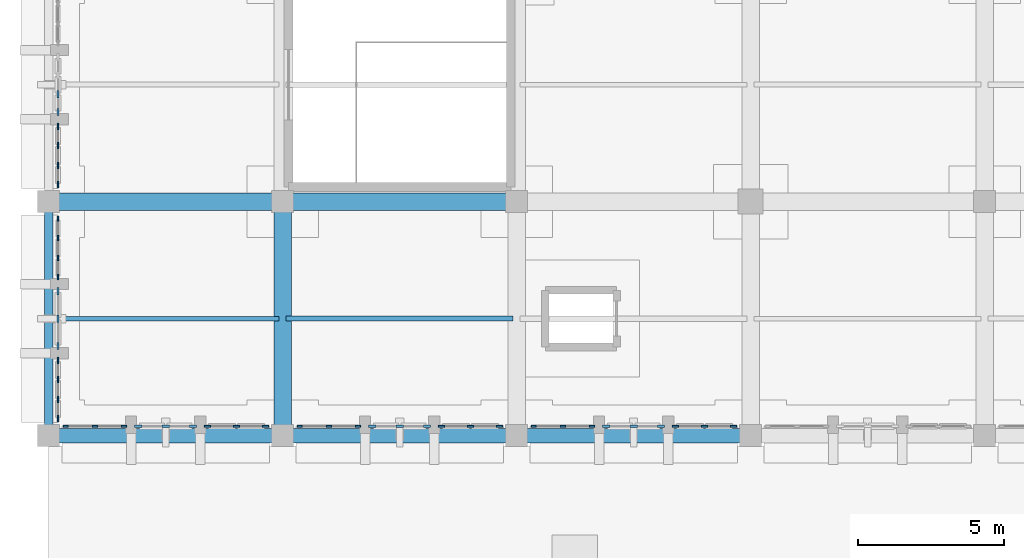
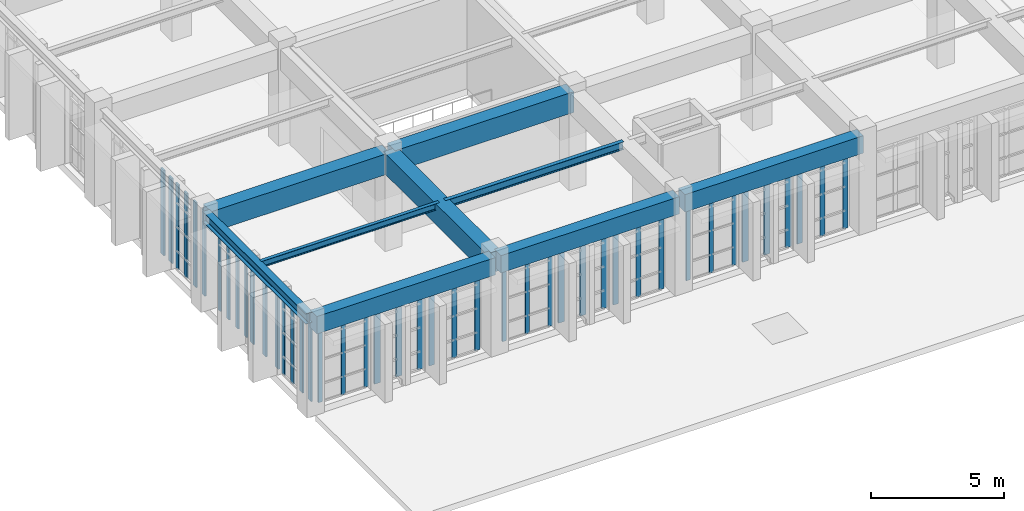
# One storey, part 8 of 155: 44 members, 9 beams, 14 elements without a shape of their own.
"""IFC4 building model written with IfcOpenShell, lengths in metres."""

from ifc_helpers import new_model, si_unit, direction, frame, origin, origin_2d, place, context, subcontext, project, spatial, rectangle, i_section, extrude, material, layer, layer_set, material_profile, profile_set, type_object, element, aggregate, save


model = new_model("IFC4")

# Units and contexts
model_context = context("Model", 3, precision=1e-05, world=origin(), true_north=direction((0.0, 1.0)))
body_context = subcontext(model_context, "Body", "Model", "MODEL_VIEW")
ifc_project = project(units=[si_unit("LENGTHUNIT", "METRE"), si_unit("AREAUNIT", "SQUARE_METRE"), si_unit("VOLUMEUNIT", "CUBIC_METRE"), si_unit("PLANEANGLEUNIT", "RADIAN"), si_unit("MASSUNIT", "GRAM", prefix="KILO")], contexts=[model_context])

# Site, building, storey
site_placement = place(None, origin())
site = spatial("IfcSite", under=ifc_project, at=site_placement, CompositionType="ELEMENT")
building_placement = place(site_placement, origin())
building = spatial("IfcBuilding", under=site, at=building_placement, Name="Tazarka Park Arena", CompositionType="ELEMENT")
storey_placement = place(building_placement, frame((0.0, 0.0, 5.39990234375)))
storey = spatial("IfcBuildingStorey", under=building, at=storey_placement, Name="L01", CompositionType="ELEMENT", Elevation=5.39990234375)

# Beams
ifc_material_1 = material(Name="Concrete C40/50", Category="concrete")
ifc_material_profile_1 = material_profile(ifc_material_1, rectangle(XDim=0.60009765625, YDim=0.949951171875, at=origin_2d()), Name="Concrete C40/50")
ifc_profile_set_1 = profile_set([ifc_material_profile_1], Name="Concrete C40/50")
beam_type_1 = type_object("IfcBeamType", Name="BM-B-03", PredefinedType="BEAM", material=ifc_profile_set_1)
for number, where, z_axis, x_axis, name in (
    (1, (0.1201171875, 16.0, 3.945068359375), (1.0, 0.0, 0.0), (0.0, 1.0, 0.0), "GXM-L01-00-02"),
    (2, (8.0, 8.1201171875, 3.945068359375), (0.0, 1.0, 0.0), (-1.0, 0.0, 0.0), "GYM-L01-01-01"),
    (3, (8.1201171875, 16.0, 3.945068359375), (1.0, 0.0, 0.0), (0.0, 1.0, 0.0), "GXM-L01-01-02"),
):
    element("IfcBeam", number, at=place(storey_placement, frame(where, z_axis=z_axis, x_axis=x_axis)), inside=storey, type_object=beam_type_1, Name=name, PredefinedType="BEAM", context=body_context, shape_type="SweptSolid", body=[
        extrude(rectangle(XDim=0.60009765625, YDim=0.949951171875, at=origin_2d()), origin(), (0.0, 0.0, 1.0), 7.759765625),
    ])
ifc_material_2 = material(Name="Steel S355", Category="steel")
ifc_material_profile_2 = material_profile(ifc_material_2, i_section(OverallWidth=0.14990234375, OverallDepth=0.300048828125, WebThickness=0.007080078125, FlangeThickness=0.0107421875, FilletRadius=0.014892578125, at=origin_2d()), Name="Steel S355")
ifc_profile_set_2 = profile_set([ifc_material_profile_2], Name="Steel S355")
beam_type_2 = type_object("IfcBeamType", Name="BM-J-01", PredefinedType="JOIST", material=ifc_profile_set_2)
beam_1_placement = place(storey_placement, frame((0.1201171875, 12.0, 4.27001953125), z_axis=(1.0, 0.0, 0.0), x_axis=(0.0, 1.0, 0.0)))
element("IfcBeam", 4, at=beam_1_placement, inside=storey, type_object=beam_type_2, Name="JST-L01-00-01", PredefinedType="JOIST", context=body_context, shape_type="SweptSolid", body=[
    extrude(i_section(OverallWidth=0.14990234375, OverallDepth=0.300048828125, WebThickness=0.007080078125, FlangeThickness=0.0107421875, FilletRadius=0.014892578125, at=origin_2d()), origin(), (0.0, 0.0, 1.0), 7.759765625),
])
ifc_material_3 = material(Name="Steel S355", Category="steel")
ifc_material_profile_3 = material_profile(ifc_material_3, i_section(OverallWidth=0.169921875, OverallDepth=0.360107421875, WebThickness=0.008056640625, FlangeThickness=0.0126953125, FilletRadius=0.01806640625, at=origin_2d()), Name="Steel S355")
ifc_profile_set_3 = profile_set([ifc_material_profile_3], Name="Steel S355")
beam_type_3 = type_object("IfcBeamType", Name="BM-J-02", PredefinedType="JOIST", material=ifc_profile_set_3)
beam_2_placement = place(storey_placement, frame((8.1201171875, 12.0, 4.239990234375), z_axis=(1.0, 0.0, 0.0), x_axis=(0.0, 1.0, 0.0)))
element("IfcBeam", 5, at=beam_2_placement, inside=storey, type_object=beam_type_3, Name="JST-L01-01-01", PredefinedType="JOIST", context=body_context, shape_type="SweptSolid", body=[
    extrude(i_section(OverallWidth=0.169921875, OverallDepth=0.360107421875, WebThickness=0.008056640625, FlangeThickness=0.0126953125, FilletRadius=0.01806640625, at=origin_2d()), origin(), (0.0, 0.0, 1.0), 7.759765625),
])
ifc_material_4 = material(Name="Concrete C40/50", Category="concrete")
ifc_material_profile_4 = material_profile(ifc_material_4, rectangle(XDim=0.5, YDim=0.800048828125, at=origin_2d()), Name="Concrete C40/50")
ifc_profile_set_4 = profile_set([ifc_material_profile_4], Name="Concrete C40/50")
beam_type_4 = type_object("IfcBeamType", Name="BM-SP-01", PredefinedType="SPANDREL", material=ifc_profile_set_4)
for number, where, z_axis, x_axis, name in (
    (6, (0.1201171875, 8.0, 4.02001953125), (1.0, 0.0, 0.0), (0.0, 1.0, 0.0), "GXM-L01-00-01"),
    (7, (8.1201171875, 8.0, 4.02001953125), (1.0, 0.0, 0.0), (0.0, 1.0, 0.0), "GXM-L01-01-01"),
    (8, (16.1201171875, 8.0, 4.02001953125), (1.0, 0.0, 0.0), (0.0, 1.0, 0.0), "GXM-L01-02-01"),
):
    element("IfcBeam", number, at=place(storey_placement, frame(where, z_axis=z_axis, x_axis=x_axis)), inside=storey, type_object=beam_type_4, Name=name, PredefinedType="SPANDREL", context=body_context, shape_type="SweptSolid", body=[
        extrude(rectangle(XDim=0.5, YDim=0.800048828125, at=origin_2d()), origin(), (0.0, 0.0, 1.0), 7.759765625),
    ])
ifc_material_5 = material(Name="Steel S355", Category="steel")
ifc_material_profile_5 = material_profile(ifc_material_5, i_section(OverallWidth=0.300048828125, OverallDepth=0.489990234375, WebThickness=0.011962890625, FlangeThickness=0.02294921875, FilletRadius=0.027099609375, at=origin_2d()), Name="Steel S355")
ifc_profile_set_5 = profile_set([ifc_material_profile_5], Name="Steel S355")
beam_type_5 = type_object("IfcBeamType", Name="BM-SP-02", PredefinedType="SPANDREL", material=ifc_profile_set_5)
beam_3_placement = place(storey_placement, frame((0.0, 8.1201171875, 4.175048828125), z_axis=(0.0, 1.0, 0.0), x_axis=(-1.0, 0.0, 0.0)))
element("IfcBeam", 9, at=beam_3_placement, inside=storey, type_object=beam_type_5, Name="GYM-L01-00-01", PredefinedType="SPANDREL", context=body_context, shape_type="SweptSolid", body=[
    extrude(i_section(OverallWidth=0.300048828125, OverallDepth=0.489990234375, WebThickness=0.011962890625, FlangeThickness=0.02294921875, FilletRadius=0.027099609375, at=origin_2d()), origin(), (0.0, 0.0, 1.0), 7.759765625),
])

# Curtain wall, members
ifc_material_6 = material(Name="Aluminium and low-e glass", Category="aluminium")
ifc_layer_1 = layer(ifc_material_6, 0.179931640625, Name="Aluminium and low-e glass")
ifc_layer_set_1 = layer_set([ifc_layer_1], Name="Aluminium and low-e glass")
curtain_wall_type_1 = type_object("IfcCurtainWallType", Name="CW-09", PredefinedType="NOTDEFINED", material=ifc_layer_set_1)
curtain_wall_1_placement = place(storey_placement, origin())
curtain_wall_1 = element("IfcCurtainWall", 10, at=curtain_wall_1_placement, inside=storey, type_object=curtain_wall_type_1, Name="Curtain Wall CWA-L01-069", PredefinedType="NOTDEFINED")
ifc_material_7 = material(Name="Aluminium 6060-T66", Category="aluminium")
ifc_material_profile_6 = material_profile(ifc_material_7, rectangle(XDim=0.06494140625, YDim=0.179931640625, at=origin_2d()), Name="Aluminium 6060-T66")
ifc_profile_set_6 = profile_set([ifc_material_profile_6], Name="Aluminium 6060-T66")
member_type_1 = type_object("IfcMemberType", Name="CWM-01", PredefinedType="MULLION", material=ifc_profile_set_6)
member_1_placement = place(storey_placement, frame((0.320068359375, 13.42431640625, 0.0), z_axis=(0.0, 0.0, 1.0), x_axis=(-1.0, 0.0, 0.0)))
member_1 = element("IfcMember", 11, at=member_1_placement, type_object=member_type_1, Name="CW-09 mullion 1", PredefinedType="MULLION", context=body_context, shape_type="SweptSolid", body=[
    extrude(rectangle(XDim=0.06494140625, YDim=0.179931640625, at=origin_2d()), origin(), (0.0, 0.0, 1.0), 3.91015625),
])
member_2_placement = place(storey_placement, frame((0.320068359375, 14.076171875, 0.0), z_axis=(0.0, 0.0, 1.0), x_axis=(-1.0, 0.0, 0.0)))
member_2 = element("IfcMember", 12, at=member_2_placement, type_object=member_type_1, Name="CW-09 mullion 2", PredefinedType="MULLION", context=body_context, shape_type="SweptSolid", body=[
    extrude(rectangle(XDim=0.06494140625, YDim=0.179931640625, at=origin_2d()), origin(), (0.0, 0.0, 1.0), 3.91015625),
])
member_3_placement = place(storey_placement, frame((0.320068359375, 14.760498046875, 0.0), z_axis=(0.0, 0.0, 1.0), x_axis=(-1.0, 0.0, 0.0)))
member_3 = element("IfcMember", 13, at=member_3_placement, type_object=member_type_1, Name="CW-09 mullion 3", PredefinedType="MULLION", context=body_context, shape_type="SweptSolid", body=[
    extrude(rectangle(XDim=0.06494140625, YDim=0.179931640625, at=origin_2d()), origin(), (0.0, 0.0, 1.0), 3.91015625),
])
member_4_placement = place(storey_placement, frame((0.320068359375, 15.41259765625, 0.0), z_axis=(0.0, 0.0, 1.0), x_axis=(-1.0, 0.0, 0.0)))
member_4 = element("IfcMember", 14, at=member_4_placement, type_object=member_type_1, Name="CW-09 mullion 4", PredefinedType="MULLION", context=body_context, shape_type="SweptSolid", body=[
    extrude(rectangle(XDim=0.06494140625, YDim=0.179931640625, at=origin_2d()), origin(), (0.0, 0.0, 1.0), 3.91015625),
])
aggregate(curtain_wall_1, [member_1, member_2, member_3, member_4])

ifc_material_8 = material(Name="Aluminium and low-e glass", Category="aluminium")
ifc_layer_2 = layer(ifc_material_8, 0.179931640625, Name="Aluminium and low-e glass")
ifc_layer_set_2 = layer_set([ifc_layer_2], Name="Aluminium and low-e glass")
curtain_wall_type_2 = type_object("IfcCurtainWallType", Name="CW-12", PredefinedType="NOTDEFINED", material=ifc_layer_set_2)
curtain_wall_2_placement = place(storey_placement, origin())
curtain_wall_2 = element("IfcCurtainWall", 15, at=curtain_wall_2_placement, inside=storey, type_object=curtain_wall_type_2, Name="Curtain Wall CWA-L01-072", PredefinedType="NOTDEFINED")
member_5_placement = place(storey_placement, frame((2.57568359375, 8.320068359375, 0.0), z_axis=(0.0, 0.0, 1.0), x_axis=(0.0, -1.0, 0.0)))
member_5 = element("IfcMember", 16, at=member_5_placement, type_object=member_type_1, Name="CW-12 mullion 1", PredefinedType="MULLION", context=body_context, shape_type="SweptSolid", body=[
    extrude(rectangle(XDim=0.06494140625, YDim=0.179931640625, at=origin_2d()), origin(), (0.0, 0.0, 1.0), 3.60009765625),
])
member_6_placement = place(storey_placement, frame((1.58154296875, 8.320068359375, 0.0), z_axis=(0.0, 0.0, 1.0), x_axis=(0.0, -1.0, 0.0)))
member_6 = element("IfcMember", 17, at=member_6_placement, type_object=member_type_1, Name="CW-12 mullion 2", PredefinedType="MULLION", context=body_context, shape_type="SweptSolid", body=[
    extrude(rectangle(XDim=0.06494140625, YDim=0.179931640625, at=origin_2d()), origin(), (0.0, 0.0, 1.0), 3.60009765625),
])
member_7_placement = place(storey_placement, frame((0.58740234375, 8.320068359375, 0.0), z_axis=(0.0, 0.0, 1.0), x_axis=(0.0, -1.0, 0.0)))
member_7 = element("IfcMember", 18, at=member_7_placement, type_object=member_type_1, Name="CW-12 mullion 3", PredefinedType="MULLION", context=body_context, shape_type="SweptSolid", body=[
    extrude(rectangle(XDim=0.06494140625, YDim=0.179931640625, at=origin_2d()), origin(), (0.0, 0.0, 1.0), 3.60009765625),
])
aggregate(curtain_wall_2, [member_5, member_6, member_7])

ifc_material_9 = material(Name="Aluminium and low-e glass", Category="aluminium")
ifc_layer_3 = layer(ifc_material_9, 0.179931640625, Name="Aluminium and low-e glass")
ifc_layer_set_3 = layer_set([ifc_layer_3], Name="Aluminium and low-e glass")
curtain_wall_type_3 = type_object("IfcCurtainWallType", Name="CW-15", PredefinedType="NOTDEFINED", material=ifc_layer_set_3)
curtain_wall_3_placement = place(storey_placement, origin())
curtain_wall_3 = element("IfcCurtainWall", 19, at=curtain_wall_3_placement, inside=storey, type_object=curtain_wall_type_3, Name="Curtain Wall CWA-L01-075", PredefinedType="NOTDEFINED")
member_8_placement = place(storey_placement, frame((10.57568359375, 8.320068359375, 0.0), z_axis=(0.0, 0.0, 1.0), x_axis=(0.0, -1.0, 0.0)))
member_8 = element("IfcMember", 20, at=member_8_placement, type_object=member_type_1, Name="CW-15 mullion 1", PredefinedType="MULLION", context=body_context, shape_type="SweptSolid", body=[
    extrude(rectangle(XDim=0.06494140625, YDim=0.179931640625, at=origin_2d()), origin(), (0.0, 0.0, 1.0), 3.60009765625),
])
member_9_placement = place(storey_placement, frame((9.58154296875, 8.320068359375, 0.0), z_axis=(0.0, 0.0, 1.0), x_axis=(0.0, -1.0, 0.0)))
member_9 = element("IfcMember", 21, at=member_9_placement, type_object=member_type_1, Name="CW-15 mullion 2", PredefinedType="MULLION", context=body_context, shape_type="SweptSolid", body=[
    extrude(rectangle(XDim=0.06494140625, YDim=0.179931640625, at=origin_2d()), origin(), (0.0, 0.0, 1.0), 3.60009765625),
])
member_10_placement = place(storey_placement, frame((8.58740234375, 8.320068359375, 0.0), z_axis=(0.0, 0.0, 1.0), x_axis=(0.0, -1.0, 0.0)))
member_10 = element("IfcMember", 22, at=member_10_placement, type_object=member_type_1, Name="CW-15 mullion 3", PredefinedType="MULLION", context=body_context, shape_type="SweptSolid", body=[
    extrude(rectangle(XDim=0.06494140625, YDim=0.179931640625, at=origin_2d()), origin(), (0.0, 0.0, 1.0), 3.60009765625),
])
aggregate(curtain_wall_3, [member_8, member_9, member_10])

ifc_material_10 = material(Name="Aluminium and low-e glass", Category="aluminium")
ifc_layer_4 = layer(ifc_material_10, 0.179931640625, Name="Aluminium and low-e glass")
ifc_layer_set_4 = layer_set([ifc_layer_4], Name="Aluminium and low-e glass")
curtain_wall_type_4 = type_object("IfcCurtainWallType", Name="CW-18", PredefinedType="NOTDEFINED", material=ifc_layer_set_4)
curtain_wall_4_placement = place(storey_placement, origin())
curtain_wall_4 = element("IfcCurtainWall", 23, at=curtain_wall_4_placement, inside=storey, type_object=curtain_wall_type_4, Name="Curtain Wall CWA-L01-078", PredefinedType="NOTDEFINED")
member_11_placement = place(storey_placement, frame((18.57568359375, 8.320068359375, 0.0), z_axis=(0.0, 0.0, 1.0), x_axis=(0.0, -1.0, 0.0)))
member_11 = element("IfcMember", 24, at=member_11_placement, type_object=member_type_1, Name="CW-18 mullion 1", PredefinedType="MULLION", context=body_context, shape_type="SweptSolid", body=[
    extrude(rectangle(XDim=0.06494140625, YDim=0.179931640625, at=origin_2d()), origin(), (0.0, 0.0, 1.0), 3.60009765625),
])
member_12_placement = place(storey_placement, frame((17.58154296875, 8.320068359375, 0.0), z_axis=(0.0, 0.0, 1.0), x_axis=(0.0, -1.0, 0.0)))
member_12 = element("IfcMember", 25, at=member_12_placement, type_object=member_type_1, Name="CW-18 mullion 2", PredefinedType="MULLION", context=body_context, shape_type="SweptSolid", body=[
    extrude(rectangle(XDim=0.06494140625, YDim=0.179931640625, at=origin_2d()), origin(), (0.0, 0.0, 1.0), 3.60009765625),
])
member_13_placement = place(storey_placement, frame((16.58740234375, 8.320068359375, 0.0), z_axis=(0.0, 0.0, 1.0), x_axis=(0.0, -1.0, 0.0)))
member_13 = element("IfcMember", 26, at=member_13_placement, type_object=member_type_1, Name="CW-18 mullion 3", PredefinedType="MULLION", context=body_context, shape_type="SweptSolid", body=[
    extrude(rectangle(XDim=0.06494140625, YDim=0.179931640625, at=origin_2d()), origin(), (0.0, 0.0, 1.0), 3.60009765625),
])
aggregate(curtain_wall_4, [member_11, member_12, member_13])

ifc_material_11 = material(Name="Aluminium and low-e glass", Category="aluminium")
ifc_layer_5 = layer(ifc_material_11, 0.179931640625, Name="Aluminium and low-e glass")
ifc_layer_set_5 = layer_set([ifc_layer_5], Name="Aluminium and low-e glass")
curtain_wall_type_5 = type_object("IfcCurtainWallType", Name="CW-04", PredefinedType="NOTDEFINED", material=ifc_layer_set_5)
curtain_wall_5_placement = place(storey_placement, origin())
curtain_wall_5 = element("IfcCurtainWall", 27, at=curtain_wall_5_placement, inside=storey, type_object=curtain_wall_type_5, Name="Curtain Wall CWA-L01-064", PredefinedType="NOTDEFINED")
ifc_material_12 = material(Name="Aluminium 6060-T66", Category="aluminium")
ifc_material_profile_7 = material_profile(ifc_material_12, rectangle(XDim=0.06494140625, YDim=0.219970703125, at=origin_2d()), Name="Aluminium 6060-T66")
ifc_profile_set_7 = profile_set([ifc_material_profile_7], Name="Aluminium 6060-T66")
member_type_2 = type_object("IfcMemberType", Name="CWM-02", PredefinedType="MULLION", material=ifc_profile_set_7)
member_14_placement = place(storey_placement, frame((0.320068359375, 16.58740234375, 0.0), z_axis=(0.0, 0.0, 1.0), x_axis=(-1.0, 0.0, 0.0)))
member_14 = element("IfcMember", 28, at=member_14_placement, type_object=member_type_2, Name="CW-04 mullion 1", PredefinedType="MULLION", context=body_context, shape_type="SweptSolid", body=[
    extrude(rectangle(XDim=0.06494140625, YDim=0.219970703125, at=origin_2d()), origin(), (0.0, 0.0, 1.0), 3.91015625),
])
member_15_placement = place(storey_placement, frame((0.320068359375, 17.239501953125, 0.0), z_axis=(0.0, 0.0, 1.0), x_axis=(-1.0, 0.0, 0.0)))
member_15 = element("IfcMember", 29, at=member_15_placement, type_object=member_type_2, Name="CW-04 mullion 2", PredefinedType="MULLION", context=body_context, shape_type="SweptSolid", body=[
    extrude(rectangle(XDim=0.06494140625, YDim=0.219970703125, at=origin_2d()), origin(), (0.0, 0.0, 1.0), 3.91015625),
])
member_16_placement = place(storey_placement, frame((0.320068359375, 17.923828125, 0.0), z_axis=(0.0, 0.0, 1.0), x_axis=(-1.0, 0.0, 0.0)))
member_16 = element("IfcMember", 30, at=member_16_placement, type_object=member_type_2, Name="CW-04 mullion 3", PredefinedType="MULLION", context=body_context, shape_type="SweptSolid", body=[
    extrude(rectangle(XDim=0.06494140625, YDim=0.219970703125, at=origin_2d()), origin(), (0.0, 0.0, 1.0), 3.91015625),
])
member_17_placement = place(storey_placement, frame((0.320068359375, 18.57568359375, 0.0), z_axis=(0.0, 0.0, 1.0), x_axis=(-1.0, 0.0, 0.0)))
member_17 = element("IfcMember", 31, at=member_17_placement, type_object=member_type_2, Name="CW-04 mullion 4", PredefinedType="MULLION", context=body_context, shape_type="SweptSolid", body=[
    extrude(rectangle(XDim=0.06494140625, YDim=0.219970703125, at=origin_2d()), origin(), (0.0, 0.0, 1.0), 3.91015625),
])
aggregate(curtain_wall_5, [member_14, member_15, member_16, member_17])

ifc_material_13 = material(Name="Aluminium and low-e glass", Category="aluminium")
ifc_layer_6 = layer(ifc_material_13, 0.179931640625, Name="Aluminium and low-e glass")
ifc_layer_set_6 = layer_set([ifc_layer_6], Name="Aluminium and low-e glass")
curtain_wall_type_6 = type_object("IfcCurtainWallType", Name="CW-07", PredefinedType="NOTDEFINED", material=ifc_layer_set_6)
curtain_wall_6_placement = place(storey_placement, origin())
curtain_wall_6 = element("IfcCurtainWall", 32, at=curtain_wall_6_placement, inside=storey, type_object=curtain_wall_type_6, Name="Curtain Wall CWA-L01-067", PredefinedType="NOTDEFINED")
member_18_placement = place(storey_placement, frame((0.320068359375, 8.58740234375, 0.0), z_axis=(0.0, 0.0, 1.0), x_axis=(-1.0, 0.0, 0.0)))
member_18 = element("IfcMember", 33, at=member_18_placement, type_object=member_type_2, Name="CW-07 mullion 1", PredefinedType="MULLION", context=body_context, shape_type="SweptSolid", body=[
    extrude(rectangle(XDim=0.06494140625, YDim=0.219970703125, at=origin_2d()), origin(), (0.0, 0.0, 1.0), 3.91015625),
])
member_19_placement = place(storey_placement, frame((0.320068359375, 9.239501953125, 0.0), z_axis=(0.0, 0.0, 1.0), x_axis=(-1.0, 0.0, 0.0)))
member_19 = element("IfcMember", 34, at=member_19_placement, type_object=member_type_2, Name="CW-07 mullion 2", PredefinedType="MULLION", context=body_context, shape_type="SweptSolid", body=[
    extrude(rectangle(XDim=0.06494140625, YDim=0.219970703125, at=origin_2d()), origin(), (0.0, 0.0, 1.0), 3.91015625),
])
member_20_placement = place(storey_placement, frame((0.320068359375, 9.923828125, 0.0), z_axis=(0.0, 0.0, 1.0), x_axis=(-1.0, 0.0, 0.0)))
member_20 = element("IfcMember", 35, at=member_20_placement, type_object=member_type_2, Name="CW-07 mullion 3", PredefinedType="MULLION", context=body_context, shape_type="SweptSolid", body=[
    extrude(rectangle(XDim=0.06494140625, YDim=0.219970703125, at=origin_2d()), origin(), (0.0, 0.0, 1.0), 3.91015625),
])
member_21_placement = place(storey_placement, frame((0.320068359375, 10.57568359375, 0.0), z_axis=(0.0, 0.0, 1.0), x_axis=(-1.0, 0.0, 0.0)))
member_21 = element("IfcMember", 36, at=member_21_placement, type_object=member_type_2, Name="CW-07 mullion 4", PredefinedType="MULLION", context=body_context, shape_type="SweptSolid", body=[
    extrude(rectangle(XDim=0.06494140625, YDim=0.219970703125, at=origin_2d()), origin(), (0.0, 0.0, 1.0), 3.91015625),
])
aggregate(curtain_wall_6, [member_18, member_19, member_20, member_21])

ifc_material_14 = material(Name="Aluminium and low-e glass", Category="aluminium")
ifc_layer_7 = layer(ifc_material_14, 0.179931640625, Name="Aluminium and low-e glass")
ifc_layer_set_7 = layer_set([ifc_layer_7], Name="Aluminium and low-e glass")
curtain_wall_type_7 = type_object("IfcCurtainWallType", Name="CW-10", PredefinedType="NOTDEFINED", material=ifc_layer_set_7)
curtain_wall_7_placement = place(storey_placement, origin())
curtain_wall_7 = element("IfcCurtainWall", 37, at=curtain_wall_7_placement, inside=storey, type_object=curtain_wall_type_7, Name="Curtain Wall CWA-L01-070", PredefinedType="NOTDEFINED")
member_22_placement = place(storey_placement, frame((7.41259765625, 8.320068359375, 0.0), z_axis=(0.0, 0.0, 1.0), x_axis=(0.0, -1.0, 0.0)))
member_22 = element("IfcMember", 38, at=member_22_placement, type_object=member_type_2, Name="CW-10 mullion 1", PredefinedType="MULLION", context=body_context, shape_type="SweptSolid", body=[
    extrude(rectangle(XDim=0.06494140625, YDim=0.219970703125, at=origin_2d()), origin(), (0.0, 0.0, 1.0), 3.60009765625),
])
member_23_placement = place(storey_placement, frame((6.41845703125, 8.320068359375, 0.0), z_axis=(0.0, 0.0, 1.0), x_axis=(0.0, -1.0, 0.0)))
member_23 = element("IfcMember", 39, at=member_23_placement, type_object=member_type_2, Name="CW-10 mullion 2", PredefinedType="MULLION", context=body_context, shape_type="SweptSolid", body=[
    extrude(rectangle(XDim=0.06494140625, YDim=0.219970703125, at=origin_2d()), origin(), (0.0, 0.0, 1.0), 3.60009765625),
])
member_24_placement = place(storey_placement, frame((5.42431640625, 8.320068359375, 0.0), z_axis=(0.0, 0.0, 1.0), x_axis=(0.0, -1.0, 0.0)))
member_24 = element("IfcMember", 40, at=member_24_placement, type_object=member_type_2, Name="CW-10 mullion 3", PredefinedType="MULLION", context=body_context, shape_type="SweptSolid", body=[
    extrude(rectangle(XDim=0.06494140625, YDim=0.219970703125, at=origin_2d()), origin(), (0.0, 0.0, 1.0), 3.60009765625),
])
aggregate(curtain_wall_7, [member_22, member_23, member_24])

ifc_material_15 = material(Name="Aluminium and low-e glass", Category="aluminium")
ifc_layer_8 = layer(ifc_material_15, 0.179931640625, Name="Aluminium and low-e glass")
ifc_layer_set_8 = layer_set([ifc_layer_8], Name="Aluminium and low-e glass")
curtain_wall_type_8 = type_object("IfcCurtainWallType", Name="CW-13", PredefinedType="NOTDEFINED", material=ifc_layer_set_8)
curtain_wall_8_placement = place(storey_placement, origin())
curtain_wall_8 = element("IfcCurtainWall", 41, at=curtain_wall_8_placement, inside=storey, type_object=curtain_wall_type_8, Name="Curtain Wall CWA-L01-073", PredefinedType="NOTDEFINED")
member_25_placement = place(storey_placement, frame((15.41259765625, 8.320068359375, 0.0), z_axis=(0.0, 0.0, 1.0), x_axis=(0.0, -1.0, 0.0)))
member_25 = element("IfcMember", 42, at=member_25_placement, type_object=member_type_2, Name="CW-13 mullion 1", PredefinedType="MULLION", context=body_context, shape_type="SweptSolid", body=[
    extrude(rectangle(XDim=0.06494140625, YDim=0.219970703125, at=origin_2d()), origin(), (0.0, 0.0, 1.0), 3.60009765625),
])
member_26_placement = place(storey_placement, frame((14.41845703125, 8.320068359375, 0.0), z_axis=(0.0, 0.0, 1.0), x_axis=(0.0, -1.0, 0.0)))
member_26 = element("IfcMember", 43, at=member_26_placement, type_object=member_type_2, Name="CW-13 mullion 2", PredefinedType="MULLION", context=body_context, shape_type="SweptSolid", body=[
    extrude(rectangle(XDim=0.06494140625, YDim=0.219970703125, at=origin_2d()), origin(), (0.0, 0.0, 1.0), 3.60009765625),
])
member_27_placement = place(storey_placement, frame((13.42431640625, 8.320068359375, 0.0), z_axis=(0.0, 0.0, 1.0), x_axis=(0.0, -1.0, 0.0)))
member_27 = element("IfcMember", 44, at=member_27_placement, type_object=member_type_2, Name="CW-13 mullion 3", PredefinedType="MULLION", context=body_context, shape_type="SweptSolid", body=[
    extrude(rectangle(XDim=0.06494140625, YDim=0.219970703125, at=origin_2d()), origin(), (0.0, 0.0, 1.0), 3.60009765625),
])
aggregate(curtain_wall_8, [member_25, member_26, member_27])

ifc_material_16 = material(Name="Aluminium and low-e glass", Category="aluminium")
ifc_layer_9 = layer(ifc_material_16, 0.179931640625, Name="Aluminium and low-e glass")
ifc_layer_set_9 = layer_set([ifc_layer_9], Name="Aluminium and low-e glass")
curtain_wall_type_9 = type_object("IfcCurtainWallType", Name="CW-16", PredefinedType="NOTDEFINED", material=ifc_layer_set_9)
curtain_wall_9_placement = place(storey_placement, origin())
curtain_wall_9 = element("IfcCurtainWall", 45, at=curtain_wall_9_placement, inside=storey, type_object=curtain_wall_type_9, Name="Curtain Wall CWA-L01-076", PredefinedType="NOTDEFINED")
member_28_placement = place(storey_placement, frame((23.41259765625, 8.320068359375, 0.0), z_axis=(0.0, 0.0, 1.0), x_axis=(0.0, -1.0, 0.0)))
member_28 = element("IfcMember", 46, at=member_28_placement, type_object=member_type_2, Name="CW-16 mullion 1", PredefinedType="MULLION", context=body_context, shape_type="SweptSolid", body=[
    extrude(rectangle(XDim=0.06494140625, YDim=0.219970703125, at=origin_2d()), origin(), (0.0, 0.0, 1.0), 3.60009765625),
])
member_29_placement = place(storey_placement, frame((22.41845703125, 8.320068359375, 0.0), z_axis=(0.0, 0.0, 1.0), x_axis=(0.0, -1.0, 0.0)))
member_29 = element("IfcMember", 47, at=member_29_placement, type_object=member_type_2, Name="CW-16 mullion 2", PredefinedType="MULLION", context=body_context, shape_type="SweptSolid", body=[
    extrude(rectangle(XDim=0.06494140625, YDim=0.219970703125, at=origin_2d()), origin(), (0.0, 0.0, 1.0), 3.60009765625),
])
member_30_placement = place(storey_placement, frame((21.42431640625, 8.320068359375, 0.0), z_axis=(0.0, 0.0, 1.0), x_axis=(0.0, -1.0, 0.0)))
member_30 = element("IfcMember", 48, at=member_30_placement, type_object=member_type_2, Name="CW-16 mullion 3", PredefinedType="MULLION", context=body_context, shape_type="SweptSolid", body=[
    extrude(rectangle(XDim=0.06494140625, YDim=0.219970703125, at=origin_2d()), origin(), (0.0, 0.0, 1.0), 3.60009765625),
])
aggregate(curtain_wall_9, [member_28, member_29, member_30])

ifc_material_17 = material(Name="Aluminium and low-e glass", Category="aluminium")
ifc_layer_10 = layer(ifc_material_17, 0.179931640625, Name="Aluminium and low-e glass")
ifc_layer_set_10 = layer_set([ifc_layer_10], Name="Aluminium and low-e glass")
curtain_wall_type_10 = type_object("IfcCurtainWallType", Name="CW-05", PredefinedType="NOTDEFINED", material=ifc_layer_set_10)
curtain_wall_10_placement = place(storey_placement, origin())
curtain_wall_10 = element("IfcCurtainWall", 49, at=curtain_wall_10_placement, inside=storey, type_object=curtain_wall_type_10, Name="Curtain Wall CWA-L01-065", PredefinedType="NOTDEFINED")
ifc_material_18 = material(Name="Aluminium 6060-T66", Category="aluminium")
ifc_material_profile_8 = material_profile(ifc_material_18, rectangle(XDim=0.074951171875, YDim=0.25, at=origin_2d()), Name="Aluminium 6060-T66")
ifc_profile_set_8 = profile_set([ifc_material_profile_8], Name="Aluminium 6060-T66")
member_type_3 = type_object("IfcMemberType", Name="CWM-03", PredefinedType="MULLION", material=ifc_profile_set_8)
member_31_placement = place(storey_placement, frame((0.320068359375, 19.06591796875, 0.0), z_axis=(0.0, 0.0, 1.0), x_axis=(-1.0, 0.0, 0.0)))
member_31 = element("IfcMember", 50, at=member_31_placement, type_object=member_type_3, Name="CW-05 mullion 1", PredefinedType="MULLION", context=body_context, shape_type="SweptSolid", body=[
    extrude(rectangle(XDim=0.074951171875, YDim=0.25, at=origin_2d()), origin(), (0.0, 0.0, 1.0), 3.91015625),
])
member_32_placement = place(storey_placement, frame((0.320068359375, 19.676025390625, 0.0), z_axis=(0.0, 0.0, 1.0), x_axis=(-1.0, 0.0, 0.0)))
member_32 = element("IfcMember", 51, at=member_32_placement, type_object=member_type_3, Name="CW-05 mullion 2", PredefinedType="MULLION", context=body_context, shape_type="SweptSolid", body=[
    extrude(rectangle(XDim=0.074951171875, YDim=0.25, at=origin_2d()), origin(), (0.0, 0.0, 1.0), 3.91015625),
])
aggregate(curtain_wall_10, [member_31, member_32])

ifc_material_19 = material(Name="Aluminium and low-e glass", Category="aluminium")
ifc_layer_11 = layer(ifc_material_19, 0.179931640625, Name="Aluminium and low-e glass")
ifc_layer_set_11 = layer_set([ifc_layer_11], Name="Aluminium and low-e glass")
curtain_wall_type_11 = type_object("IfcCurtainWallType", Name="CW-08", PredefinedType="NOTDEFINED", material=ifc_layer_set_11)
curtain_wall_11_placement = place(storey_placement, origin())
curtain_wall_11 = element("IfcCurtainWall", 52, at=curtain_wall_11_placement, inside=storey, type_object=curtain_wall_type_11, Name="Curtain Wall CWA-L01-068", PredefinedType="NOTDEFINED")
member_33_placement = place(storey_placement, frame((0.320068359375, 11.06591796875, 0.0), z_axis=(0.0, 0.0, 1.0), x_axis=(-1.0, 0.0, 0.0)))
member_33 = element("IfcMember", 53, at=member_33_placement, type_object=member_type_3, Name="CW-08 mullion 1", PredefinedType="MULLION", context=body_context, shape_type="SweptSolid", body=[
    extrude(rectangle(XDim=0.074951171875, YDim=0.25, at=origin_2d()), origin(), (0.0, 0.0, 1.0), 3.91015625),
])
member_34_placement = place(storey_placement, frame((0.320068359375, 12.0, 0.0), z_axis=(0.0, 0.0, 1.0), x_axis=(-1.0, 0.0, 0.0)))
member_34 = element("IfcMember", 54, at=member_34_placement, type_object=member_type_3, Name="CW-08 mullion 2", PredefinedType="MULLION", context=body_context, shape_type="SweptSolid", body=[
    extrude(rectangle(XDim=0.074951171875, YDim=0.25, at=origin_2d()), origin(), (0.0, 0.0, 1.0), 3.91015625),
])
member_35_placement = place(storey_placement, frame((0.320068359375, 12.93408203125, 0.0), z_axis=(0.0, 0.0, 1.0), x_axis=(-1.0, 0.0, 0.0)))
member_35 = element("IfcMember", 55, at=member_35_placement, type_object=member_type_3, Name="CW-08 mullion 3", PredefinedType="MULLION", context=body_context, shape_type="SweptSolid", body=[
    extrude(rectangle(XDim=0.074951171875, YDim=0.25, at=origin_2d()), origin(), (0.0, 0.0, 1.0), 3.91015625),
])
aggregate(curtain_wall_11, [member_33, member_34, member_35])

ifc_material_20 = material(Name="Aluminium and low-e glass", Category="aluminium")
ifc_layer_12 = layer(ifc_material_20, 0.179931640625, Name="Aluminium and low-e glass")
ifc_layer_set_12 = layer_set([ifc_layer_12], Name="Aluminium and low-e glass")
curtain_wall_type_12 = type_object("IfcCurtainWallType", Name="CW-11", PredefinedType="NOTDEFINED", material=ifc_layer_set_12)
curtain_wall_12_placement = place(storey_placement, origin())
curtain_wall_12 = element("IfcCurtainWall", 56, at=curtain_wall_12_placement, inside=storey, type_object=curtain_wall_type_12, Name="Curtain Wall CWA-L01-071", PredefinedType="NOTDEFINED")
member_36_placement = place(storey_placement, frame((4.93408203125, 8.320068359375, 0.0), z_axis=(0.0, 0.0, 1.0), x_axis=(0.0, -1.0, 0.0)))
member_36 = element("IfcMember", 57, at=member_36_placement, type_object=member_type_3, Name="CW-11 mullion 1", PredefinedType="MULLION", context=body_context, shape_type="SweptSolid", body=[
    extrude(rectangle(XDim=0.074951171875, YDim=0.25, at=origin_2d()), origin(), (0.0, 0.0, 1.0), 3.60009765625),
])
member_37_placement = place(storey_placement, frame((4.0, 8.320068359375, 0.0), z_axis=(0.0, 0.0, 1.0), x_axis=(0.0, -1.0, 0.0)))
member_37 = element("IfcMember", 58, at=member_37_placement, type_object=member_type_3, Name="CW-11 mullion 2", PredefinedType="MULLION", context=body_context, shape_type="SweptSolid", body=[
    extrude(rectangle(XDim=0.074951171875, YDim=0.25, at=origin_2d()), origin(), (0.0, 0.0, 1.0), 3.60009765625),
])
member_38_placement = place(storey_placement, frame((3.06591796875, 8.320068359375, 0.0), z_axis=(0.0, 0.0, 1.0), x_axis=(0.0, -1.0, 0.0)))
member_38 = element("IfcMember", 59, at=member_38_placement, type_object=member_type_3, Name="CW-11 mullion 3", PredefinedType="MULLION", context=body_context, shape_type="SweptSolid", body=[
    extrude(rectangle(XDim=0.074951171875, YDim=0.25, at=origin_2d()), origin(), (0.0, 0.0, 1.0), 3.60009765625),
])
aggregate(curtain_wall_12, [member_36, member_37, member_38])

ifc_material_21 = material(Name="Aluminium and low-e glass", Category="aluminium")
ifc_layer_13 = layer(ifc_material_21, 0.179931640625, Name="Aluminium and low-e glass")
ifc_layer_set_13 = layer_set([ifc_layer_13], Name="Aluminium and low-e glass")
curtain_wall_type_13 = type_object("IfcCurtainWallType", Name="CW-14", PredefinedType="NOTDEFINED", material=ifc_layer_set_13)
curtain_wall_13_placement = place(storey_placement, origin())
curtain_wall_13 = element("IfcCurtainWall", 60, at=curtain_wall_13_placement, inside=storey, type_object=curtain_wall_type_13, Name="Curtain Wall CWA-L01-074", PredefinedType="NOTDEFINED")
member_39_placement = place(storey_placement, frame((12.93408203125, 8.320068359375, 0.0), z_axis=(0.0, 0.0, 1.0), x_axis=(0.0, -1.0, 0.0)))
member_39 = element("IfcMember", 61, at=member_39_placement, type_object=member_type_3, Name="CW-14 mullion 1", PredefinedType="MULLION", context=body_context, shape_type="SweptSolid", body=[
    extrude(rectangle(XDim=0.074951171875, YDim=0.25, at=origin_2d()), origin(), (0.0, 0.0, 1.0), 3.60009765625),
])
member_40_placement = place(storey_placement, frame((12.0, 8.320068359375, 0.0), z_axis=(0.0, 0.0, 1.0), x_axis=(0.0, -1.0, 0.0)))
member_40 = element("IfcMember", 62, at=member_40_placement, type_object=member_type_3, Name="CW-14 mullion 2", PredefinedType="MULLION", context=body_context, shape_type="SweptSolid", body=[
    extrude(rectangle(XDim=0.074951171875, YDim=0.25, at=origin_2d()), origin(), (0.0, 0.0, 1.0), 3.60009765625),
])
member_41_placement = place(storey_placement, frame((11.06591796875, 8.320068359375, 0.0), z_axis=(0.0, 0.0, 1.0), x_axis=(0.0, -1.0, 0.0)))
member_41 = element("IfcMember", 63, at=member_41_placement, type_object=member_type_3, Name="CW-14 mullion 3", PredefinedType="MULLION", context=body_context, shape_type="SweptSolid", body=[
    extrude(rectangle(XDim=0.074951171875, YDim=0.25, at=origin_2d()), origin(), (0.0, 0.0, 1.0), 3.60009765625),
])
aggregate(curtain_wall_13, [member_39, member_40, member_41])

ifc_material_22 = material(Name="Aluminium and low-e glass", Category="aluminium")
ifc_layer_14 = layer(ifc_material_22, 0.179931640625, Name="Aluminium and low-e glass")
ifc_layer_set_14 = layer_set([ifc_layer_14], Name="Aluminium and low-e glass")
curtain_wall_type_14 = type_object("IfcCurtainWallType", Name="CW-17", PredefinedType="NOTDEFINED", material=ifc_layer_set_14)
curtain_wall_14_placement = place(storey_placement, origin())
curtain_wall_14 = element("IfcCurtainWall", 64, at=curtain_wall_14_placement, inside=storey, type_object=curtain_wall_type_14, Name="Curtain Wall CWA-L01-077", PredefinedType="NOTDEFINED")
member_42_placement = place(storey_placement, frame((20.93408203125, 8.320068359375, 0.0), z_axis=(0.0, 0.0, 1.0), x_axis=(0.0, -1.0, 0.0)))
member_42 = element("IfcMember", 65, at=member_42_placement, type_object=member_type_3, Name="CW-17 mullion 1", PredefinedType="MULLION", context=body_context, shape_type="SweptSolid", body=[
    extrude(rectangle(XDim=0.074951171875, YDim=0.25, at=origin_2d()), origin(), (0.0, 0.0, 1.0), 3.60009765625),
])
member_43_placement = place(storey_placement, frame((20.0, 8.320068359375, 0.0), z_axis=(0.0, 0.0, 1.0), x_axis=(0.0, -1.0, 0.0)))
member_43 = element("IfcMember", 66, at=member_43_placement, type_object=member_type_3, Name="CW-17 mullion 2", PredefinedType="MULLION", context=body_context, shape_type="SweptSolid", body=[
    extrude(rectangle(XDim=0.074951171875, YDim=0.25, at=origin_2d()), origin(), (0.0, 0.0, 1.0), 3.60009765625),
])
member_44_placement = place(storey_placement, frame((19.06591796875, 8.320068359375, 0.0), z_axis=(0.0, 0.0, 1.0), x_axis=(0.0, -1.0, 0.0)))
member_44 = element("IfcMember", 67, at=member_44_placement, type_object=member_type_3, Name="CW-17 mullion 3", PredefinedType="MULLION", context=body_context, shape_type="SweptSolid", body=[
    extrude(rectangle(XDim=0.074951171875, YDim=0.25, at=origin_2d()), origin(), (0.0, 0.0, 1.0), 3.60009765625),
])
aggregate(curtain_wall_14, [member_42, member_43, member_44])

save(model, "model.ifc")
